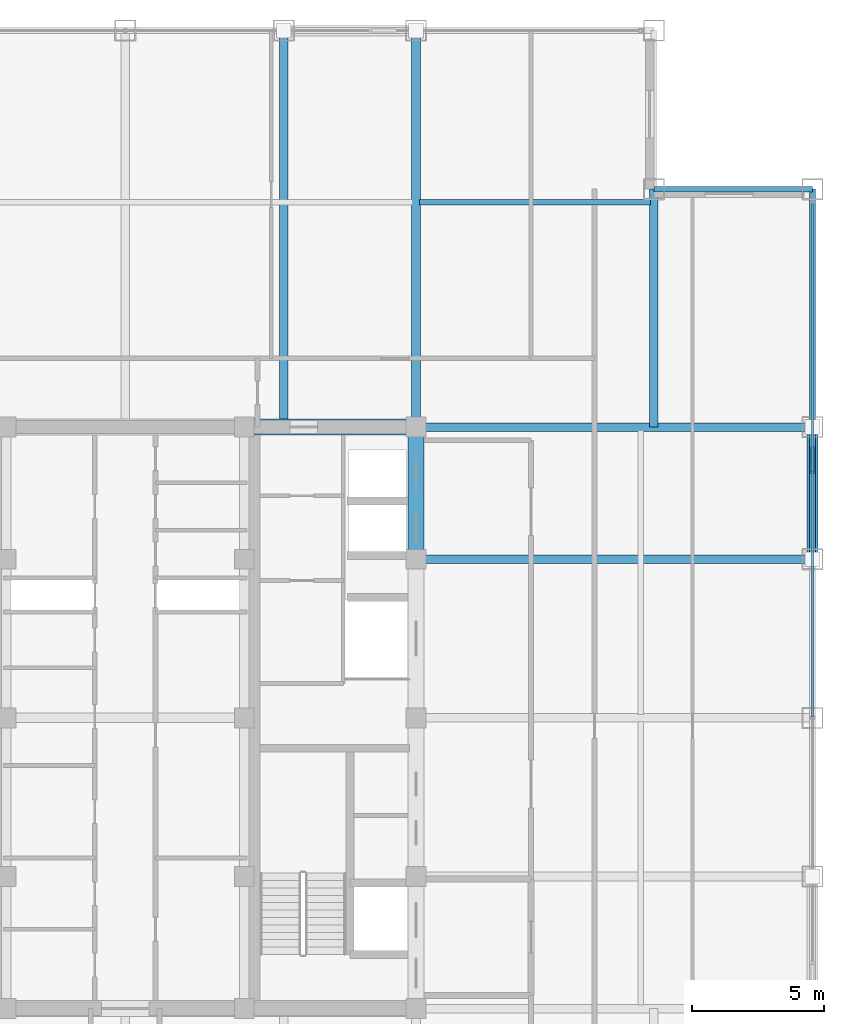
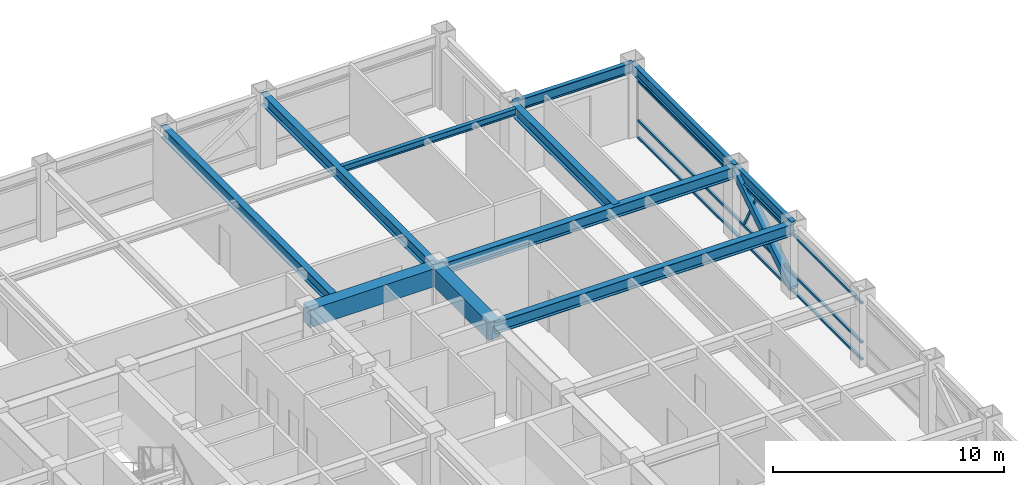
# One storey, part 19 of 28: 11 beams, 5 members, 1 element without a shape of its own.
"""IFC4 building model written with IfcOpenShell, lengths in metres."""

from ifc_helpers import new_model, si_unit, direction, frame, origin, origin_2d, place, context, subcontext, project, spatial, rectangle, hollow_rectangle, i_section, extrude, source, transform, mapped, material, material_profile, profile_set, type_object, element, aggregate, save


model = new_model("IFC4")

# Units and contexts
model_context = context("Model", 3, precision=1e-05, world=origin(), true_north=direction((0.0, 1.0)))
body_context = subcontext(model_context, "Body", "Model", "MODEL_VIEW")
ifc_project = project(units=[si_unit("LENGTHUNIT", "METRE"), si_unit("AREAUNIT", "SQUARE_METRE"), si_unit("VOLUMEUNIT", "CUBIC_METRE"), si_unit("PLANEANGLEUNIT", "RADIAN"), si_unit("MASSUNIT", "GRAM", prefix="KILO")], contexts=[model_context])

# Site, building, storey
site_placement = place(None, origin())
site = spatial("IfcSite", under=ifc_project, at=site_placement, CompositionType="ELEMENT")
building_placement = place(site_placement, origin())
building = spatial("IfcBuilding", under=site, at=building_placement, Name="Khorayat Bourse Tower", CompositionType="ELEMENT")
storey_placement = place(building_placement, frame((0.0, 0.0, 338.300048828125)))
storey = spatial("IfcBuildingStorey", under=building, at=storey_placement, Name="L80", CompositionType="ELEMENT", Elevation=338.300048828125)

# Beams
ifc_material_1 = material(Name="Concrete C60/75", Category="concrete")
ifc_material_profile_1 = material_profile(ifc_material_1, rectangle(XDim=0.60009765625, YDim=0.949951171875, at=origin_2d()), Name="RC 600x950")
ifc_profile_set_1 = profile_set([ifc_material_profile_1], Name="Concrete C60/75")
beam_type_1 = type_object("IfcBeamType", Name="BM-COUP-950", PredefinedType="BEAM", material=ifc_profile_set_1)
shared_shape_1 = source(origin(), body_context, "Body", "SweptSolid", [
    extrude(rectangle(XDim=0.60009765625, YDim=0.949951171875, at=origin_2d()), origin(), (0.0, 0.0, 1.0), 5.0),
])
beam_1_placement = place(storey_placement, frame((11.0, 6.0, 3.264892578125), z_axis=(0.0, 1.0, 0.0), x_axis=(-1.0, 0.0, 0.0)))
element("IfcBeam", 1, at=beam_1_placement, inside=storey, type_object=beam_type_1, Name="L80 BM-COUP-950 BM-L80-CRX-16", PredefinedType="BEAM", context=body_context, shape_type="MappedRepresentation", body=[
    mapped(shared_shape_1, transform((0.0, 0.0, 0.0), scale=1.0)),
])
shared_shape_2 = source(origin(), body_context, "Body", "SweptSolid", [
    extrude(rectangle(XDim=0.60009765625, YDim=0.949951171875, at=origin_2d()), origin(), (0.0, 0.0, 1.0), 6.5),
])
beam_2_placement = place(storey_placement, frame((4.5, 11.0, 3.264892578125), z_axis=(1.0, 0.0, 0.0), x_axis=(0.0, 1.0, 0.0)))
element("IfcBeam", 2, at=beam_2_placement, inside=storey, type_object=beam_type_1, Name="L80 BM-COUP-950 BM-L80-CRY-22", PredefinedType="BEAM", context=body_context, shape_type="MappedRepresentation", body=[
    mapped(shared_shape_2, transform((0.0, 0.0, 0.0), scale=1.0)),
])
ifc_material_2 = material(Name="Steel ASTM A992 Grade 50", Category="steel")
ifc_material_profile_2 = material_profile(ifc_material_2, i_section(OverallWidth=0.214111328125, OverallDepth=0.549072265625, WebThickness=0.0146484375, FlangeThickness=0.023681640625, FilletRadius=0.013916015625, at=origin_2d()), Name="W530X138")
ifc_profile_set_2 = profile_set([ifc_material_profile_2], Name="Steel ASTM A992 Grade 50")
beam_type_2 = type_object("IfcBeamType", Name="BM-SPAN-530", PredefinedType="SPANDREL", material=ifc_profile_set_2)
shared_shape_3 = source(origin(), body_context, "Body", "SweptSolid", [
    extrude(i_section(OverallWidth=0.214111328125, OverallDepth=0.549072265625, WebThickness=0.0146484375, FlangeThickness=0.023681640625, FilletRadius=0.013916015625, at=origin_2d()), origin(), (0.0, 0.0, 1.0), 9.0),
])
beam_3_placement = place(storey_placement, frame((26.0, 11.0, 3.46533203125), z_axis=(0.0, 1.0, 0.0), x_axis=(-1.0, 0.0, 0.0)))
element("IfcBeam", 3, at=beam_3_placement, inside=storey, type_object=beam_type_2, Name="L80 BM-SPAN-530 BM-L80-SPN-037", PredefinedType="SPANDREL", context=body_context, shape_type="MappedRepresentation", body=[
    mapped(shared_shape_3, transform((0.0, 0.0, 0.0), scale=1.0)),
])
shared_shape_4 = source(origin(), body_context, "Body", "SweptSolid", [
    extrude(i_section(OverallWidth=0.214111328125, OverallDepth=0.549072265625, WebThickness=0.0146484375, FlangeThickness=0.023681640625, FilletRadius=0.013916015625, at=origin_2d()), origin(), (0.0, 0.0, 1.0), 5.0),
])
beam_4_placement = place(storey_placement, frame((26.0, 6.0, 3.46533203125), z_axis=(0.0, 1.0, 0.0), x_axis=(-1.0, 0.0, 0.0)))
element("IfcBeam", 4, at=beam_4_placement, inside=storey, type_object=beam_type_2, Name="L80 BM-SPAN-530 BM-L80-SPN-036", PredefinedType="SPANDREL", context=body_context, shape_type="MappedRepresentation", body=[
    mapped(shared_shape_4, transform((0.0, 0.0, 0.0), scale=1.0)),
])
shared_shape_5 = source(origin(), body_context, "Body", "SweptSolid", [
    extrude(i_section(OverallWidth=0.214111328125, OverallDepth=0.549072265625, WebThickness=0.0146484375, FlangeThickness=0.023681640625, FilletRadius=0.013916015625, at=origin_2d()), origin(), (0.0, 0.0, 1.0), 6.0),
])
beam_5_placement = place(storey_placement, frame((20.0, 20.0, 3.46533203125), z_axis=(1.0, 0.0, 0.0), x_axis=(0.0, 1.0, 0.0)))
element("IfcBeam", 5, at=beam_5_placement, inside=storey, type_object=beam_type_2, Name="L80 BM-SPAN-530 BM-L80-SPN-038", PredefinedType="SPANDREL", context=body_context, shape_type="MappedRepresentation", body=[
    mapped(shared_shape_5, transform((0.0, 0.0, 0.0), scale=1.0)),
])
ifc_material_profile_3 = material_profile(ifc_material_2, i_section(OverallWidth=0.324951171875, OverallDepth=0.615966796875, WebThickness=0.013916015625, FlangeThickness=0.021484375, FilletRadius=0.01611328125, at=origin_2d()), Name="W610X174")
ifc_profile_set_3 = profile_set([ifc_material_profile_3], Name="Steel ASTM A992 Grade 50")
beam_type_3 = type_object("IfcBeamType", Name="BM-GIRD-610", PredefinedType="BEAM", material=ifc_profile_set_3)
shared_shape_6 = source(origin(), body_context, "Body", "SweptSolid", [
    extrude(i_section(OverallWidth=0.324951171875, OverallDepth=0.615966796875, WebThickness=0.013916015625, FlangeThickness=0.021484375, FilletRadius=0.01611328125, at=origin_2d()), origin(), (0.0, 0.0, 1.0), 15.0),
])
for number, where, z_axis, x_axis, name in (
    (6, (6.0, 11.0, 3.431884765625), (0.0, 1.0, 0.0), (-1.0, 0.0, 0.0), "L80 BM-GIRD-610 BM-L80-RADY-062"),
    (7, (11.0, 11.0, 3.431884765625), (0.0, 1.0, 0.0), (-1.0, 0.0, 0.0), "L80 BM-GIRD-610 BM-L80-RADY-064"),
    (8, (11.0, 6.0, 3.431884765625), (1.0, 0.0, 0.0), (0.0, 1.0, 0.0), "L80 BM-GIRD-610 BM-L80-RADX-072"),
    (9, (11.0, 11.0, 3.431884765625), (1.0, 0.0, 0.0), (0.0, 1.0, 0.0), "L80 BM-GIRD-610 BM-L80-RADX-074"),
):
    element("IfcBeam", number, at=place(storey_placement, frame(where, z_axis=z_axis, x_axis=x_axis)), inside=storey, type_object=beam_type_3, Name=name, PredefinedType="BEAM", context=body_context, shape_type="MappedRepresentation", body=[
        mapped(shared_shape_6, transform((0.0, 0.0, 0.0), scale=1.0)),
    ])
shared_shape_7 = source(origin(), body_context, "Body", "SweptSolid", [
    extrude(i_section(OverallWidth=0.324951171875, OverallDepth=0.615966796875, WebThickness=0.013916015625, FlangeThickness=0.021484375, FilletRadius=0.01611328125, at=origin_2d()), origin(), (0.0, 0.0, 1.0), 9.0),
])
beam_6_placement = place(storey_placement, frame((20.0, 11.0, 3.431884765625), z_axis=(0.0, 1.0, 0.0), x_axis=(-1.0, 0.0, 0.0)))
element("IfcBeam", 10, at=beam_6_placement, inside=storey, type_object=beam_type_3, Name="L80 BM-GIRD-610 BM-L80-CNRY-079", PredefinedType="BEAM", context=body_context, shape_type="MappedRepresentation", body=[
    mapped(shared_shape_7, transform((0.0, 0.0, 0.0), scale=1.0)),
])
ifc_material_profile_4 = material_profile(ifc_material_2, i_section(OverallWidth=0.202880859375, OverallDepth=0.346923828125, WebThickness=0.0078125, FlangeThickness=0.013427734375, FilletRadius=0.010009765625, at=origin_2d()), Name="W360X64")
ifc_profile_set_4 = profile_set([ifc_material_profile_4], Name="Steel ASTM A992 Grade 50")
beam_type_4 = type_object("IfcBeamType", Name="BM-JOIST-360", PredefinedType="JOIST", material=ifc_profile_set_4)
shared_shape_8 = source(origin(), body_context, "Body", "SweptSolid", [
    extrude(i_section(OverallWidth=0.202880859375, OverallDepth=0.346923828125, WebThickness=0.0078125, FlangeThickness=0.013427734375, FilletRadius=0.010009765625, at=origin_2d()), origin(), (0.0, 0.0, 1.0), 8.740234375),
])
beam_7_placement = place(storey_placement, frame((11.1298828125, 19.5, 3.56640625), z_axis=(1.0, 0.0, 0.0), x_axis=(0.0, 1.0, 0.0)))
element("IfcBeam", 11, at=beam_7_placement, inside=storey, type_object=beam_type_4, Name="L80 BM-JOIST-360 BM-L80-JSTX-085", PredefinedType="JOIST", context=body_context, shape_type="MappedRepresentation", body=[
    mapped(shared_shape_8, transform((0.0, 0.0, 0.0), scale=1.0)),
])

# Member
ifc_material_3 = material(Name="Steel EN 10025-4 S460M", Category="steel")
ifc_material_profile_5 = material_profile(ifc_material_3, hollow_rectangle(XDim=0.39990234375, YDim=0.39990234375, WallThickness=0.02197265625, at=origin_2d()), Name="HSS 400x400x22")
ifc_profile_set_5 = profile_set([ifc_material_profile_5], Name="Steel EN 10025-4 S460M")
member_type_1 = type_object("IfcMemberType", Name="MBR-TUBE-400", PredefinedType="BRACE", material=ifc_profile_set_5)
shared_shape_9 = source(origin(), body_context, "Body", "SweptSolid", [
    extrude(hollow_rectangle(XDim=0.39990234375, YDim=0.39990234375, WallThickness=0.02197265625, at=origin_2d()), origin(), (0.0, 0.0, 1.0), 5.9580078125),
])
member_1_placement = place(storey_placement, frame((26.0, 6.0, 0.25), z_axis=(0.0, 0.839210474455, 0.543806748364), x_axis=(-1.0, 0.0, 0.0)))
element("IfcMember", 12, at=member_1_placement, inside=storey, type_object=member_type_1, Name="L80 Perimeter Tube Brace 08", PredefinedType="BRACE", context=body_context, shape_type="MappedRepresentation", body=[
    mapped(shared_shape_9, transform((0.0, 0.0, 0.0), scale=1.0)),
])

# Curtain wall, members
ifc_material_4 = material(Name="Aluminium EN AW-6063 T6", Category="aluminium")
curtain_wall_type = type_object("IfcCurtainWallType", Name="CW-SYS-04", PredefinedType="NOTDEFINED", material=ifc_material_4)
curtain_wall_placement = place(storey_placement, origin())
curtain_wall = element("IfcCurtainWall", 13, at=curtain_wall_placement, inside=storey, type_object=curtain_wall_type, Name="L80 Curtain Wall CW-L80-E1", PredefinedType="NOTDEFINED")
ifc_material_profile_6 = material_profile(ifc_material_4, hollow_rectangle(XDim=0.1201171875, YDim=0.1201171875, WallThickness=0.0048828125, at=origin_2d()), Name="ALU 120x120x5")
ifc_profile_set_6 = profile_set([ifc_material_profile_6], Name="Aluminium EN AW-6063 T6")
member_type_2 = type_object("IfcMemberType", Name="CWM-DIAG-120", PredefinedType="MULLION", material=ifc_profile_set_6)
shared_shape_10 = source(origin(), body_context, "Body", "SweptSolid", [
    extrude(hollow_rectangle(XDim=0.1201171875, YDim=0.1201171875, WallThickness=0.0048828125, at=origin_2d()), origin(), (0.0, 0.0, 1.0), 2.0341796875),
])
member_2_placement = place(storey_placement, frame((26.0, 10.21875, 1.08984375), z_axis=(0.0, -0.465790950955, 0.884894790361), x_axis=(1.0, 0.0, 0.0)))
member_2 = element("IfcMember", 14, at=member_2_placement, type_object=member_type_2, Name="CW-L80-E1 Faceted Diagonal Mullion 2", PredefinedType="MULLION", context=body_context, shape_type="MappedRepresentation", body=[
    mapped(shared_shape_10, transform((0.0, 0.0, 0.0), scale=1.0)),
])
ifc_material_profile_7 = material_profile(ifc_material_4, hollow_rectangle(XDim=0.1201171875, YDim=0.1201171875, WallThickness=0.0048828125, at=origin_2d()), Name="ALU 120x120x5")
ifc_profile_set_7 = profile_set([ifc_material_profile_7], Name="Aluminium EN AW-6063 T6")
member_type_3 = type_object("IfcMemberType", Name="CWT-HORZ-120", PredefinedType="USERDEFINED", material=ifc_profile_set_7)
shared_shape_11 = source(origin(), body_context, "Body", "SweptSolid", [
    extrude(hollow_rectangle(XDim=0.1201171875, YDim=0.1201171875, WallThickness=0.0048828125, at=origin_2d()), origin(), (0.0, 0.0, 1.0), 19.369873046875),
])
member_3_placement = place(storey_placement, frame((26.0, 0.06005859375, 0.06005859375), z_axis=(0.0, 1.0, 0.0), x_axis=(-1.0, 0.0, 0.0)))
member_3 = element("IfcMember", 15, at=member_3_placement, type_object=member_type_3, Name="CW-L80-E1 Horizontal Transom 2-1", ObjectType="TRANSOM", PredefinedType="USERDEFINED", context=body_context, shape_type="MappedRepresentation", body=[
    mapped(shared_shape_11, transform((0.0, 0.0, 0.0), scale=1.0)),
])
member_4_placement = place(storey_placement, frame((26.0, 0.06005859375, 0.949951171875), z_axis=(0.0, 1.0, 0.0), x_axis=(-1.0, 0.0, 0.0)))
member_4 = element("IfcMember", 16, at=member_4_placement, type_object=member_type_3, Name="CW-L80-E1 Horizontal Transom 2-2", ObjectType="TRANSOM", PredefinedType="USERDEFINED", context=body_context, shape_type="MappedRepresentation", body=[
    mapped(shared_shape_11, transform((0.0, 0.0, 0.0), scale=1.0)),
])
member_5_placement = place(storey_placement, frame((26.0, 0.06005859375, 3.030029296875), z_axis=(0.0, 1.0, 0.0), x_axis=(-1.0, 0.0, 0.0)))
member_5 = element("IfcMember", 17, at=member_5_placement, type_object=member_type_3, Name="CW-L80-E1 Horizontal Transom 2-3", ObjectType="TRANSOM", PredefinedType="USERDEFINED", context=body_context, shape_type="MappedRepresentation", body=[
    mapped(shared_shape_11, transform((0.0, 0.0, 0.0), scale=1.0)),
])
aggregate(curtain_wall, [member_3, member_4, member_5, member_2])

save(model, "model.ifc")
